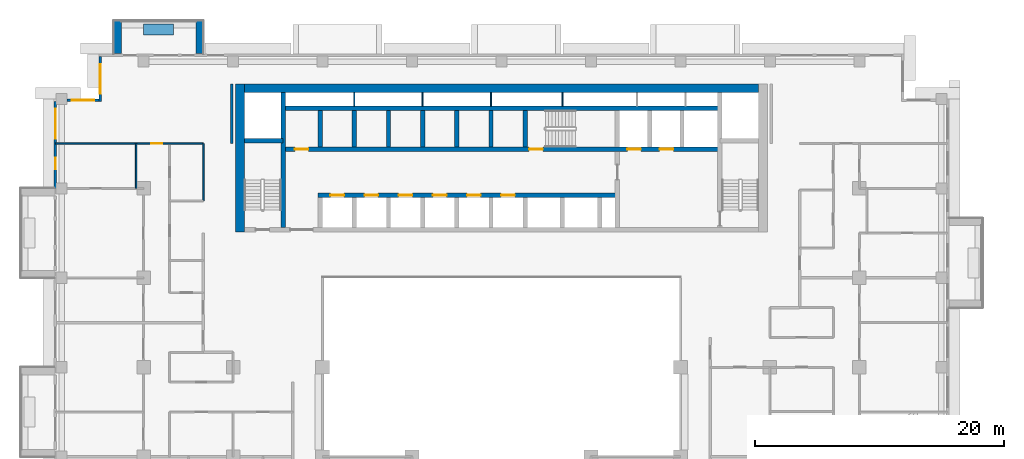
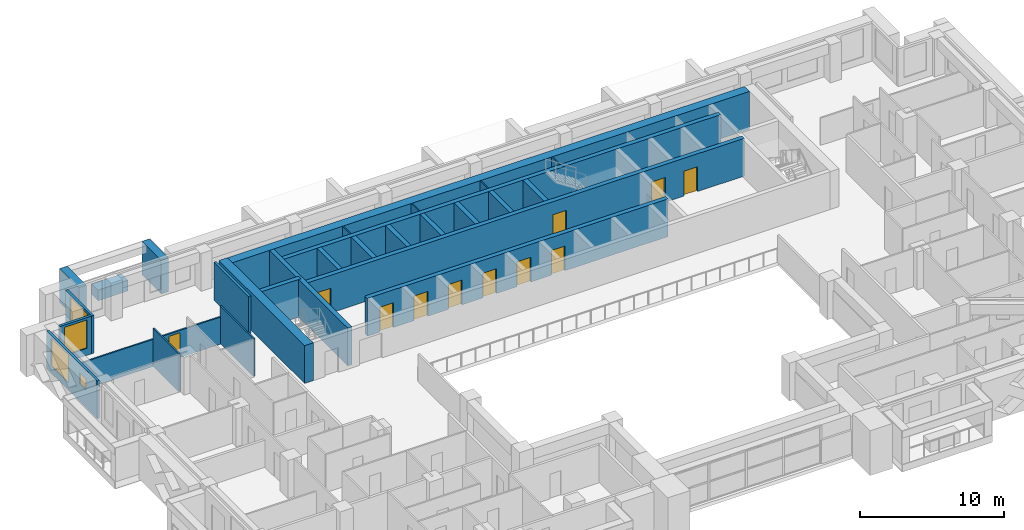
# One storey, part 10 of 20: 28 walls, 11 doors, 4 windows, 15 openings.
"""IFC4 building model written with IfcOpenShell, lengths in metres."""

from ifc_helpers import new_model, si_unit, direction, frame, frame_2d, origin, place, context, subcontext, project, spatial, rectangle, extrude, material, layer, layer_set, type_object, element, fill, save


model = new_model("IFC4")

# Units and contexts
model_context = context("Model", 3, precision=1e-05, world=origin(), true_north=direction((0.0, 1.0)))
body_context = subcontext(model_context, "Body", "Model", "MODEL_VIEW")
ifc_project = project(units=[si_unit("LENGTHUNIT", "METRE"), si_unit("AREAUNIT", "SQUARE_METRE"), si_unit("VOLUMEUNIT", "CUBIC_METRE"), si_unit("PLANEANGLEUNIT", "RADIAN"), si_unit("MASSUNIT", "GRAM", prefix="KILO")], contexts=[model_context])

# Site, building, storey
site_placement = place(None, origin())
site = spatial("IfcSite", under=ifc_project, at=site_placement, CompositionType="ELEMENT")
building_placement = place(site_placement, origin())
building = spatial("IfcBuilding", under=site, at=building_placement, Name="Saffron Iwan Residences", CompositionType="ELEMENT")
storey_placement = place(building_placement, frame((0.0, 0.0, 130.5)))
storey = spatial("IfcBuildingStorey", under=building, at=storey_placement, Name="L34", CompositionType="ELEMENT", Elevation=130.5)

# Walls
ifc_material_1 = material(Name="Concrete C50/60 white painted", Category="concrete")
ifc_layer_1 = layer(ifc_material_1, 0.60009765625)
ifc_layer_set_1 = layer_set([ifc_layer_1], Name="Concrete C50/60 white painted")
wall_type_1 = type_object("IfcWallType", Name="BALCONY FIN 600", PredefinedType="SOLIDWALL", material=ifc_layer_set_1)
for number, where, z_axis, x_axis, name in (
    (1, (26.10009765625, 80.449951171875, 0.0), (0.0, 0.0, 1.0), (0.0, 1.0, 0.0), "Balcony fin L34 F5-3a"),
    (2, (19.5, 80.449951171875, 0.0), (0.0, 0.0, 1.0), (0.0, 1.0, 0.0), "Balcony fin L34 F5-3b"),
):
    element("IfcWall", number, at=place(storey_placement, frame(where, z_axis=z_axis, x_axis=x_axis)), inside=storey, type_object=wall_type_1, Name=name, PredefinedType="SOLIDWALL", context=body_context, shape_type="SweptSolid", body=[
        extrude(rectangle(XDim=2.650146484375, YDim=0.60009765625, at=frame_2d((1.3251953125, 0.0))), origin(), (0.0, 0.0, 1.0), 2.85009765625),
    ])
ifc_material_2 = material(Name="Concrete C35/45 white painted", Category="concrete")
ifc_layer_2 = layer(ifc_material_2, 0.14990234375)
ifc_layer_set_2 = layer_set([ifc_layer_2], Name="Concrete C35/45 white painted")
wall_type_2 = type_object("IfcWallType", Name="BALCONY PLANTER", PredefinedType="SOLIDWALL", material=ifc_layer_set_2)
wall_1_placement = place(storey_placement, frame((24.0, 82.375, 0.0), z_axis=(0.0, 0.0, 1.0), x_axis=(-1.0, 0.0, 0.0)))
element("IfcWall", 3, at=wall_1_placement, inside=storey, type_object=wall_type_2, Name="PLANTER L34 F5-3", PredefinedType="SOLIDWALL", context=body_context, shape_type="SweptSolid", body=[
    extrude(rectangle(XDim=2.39990234375, YDim=0.89990234375, at=frame_2d((1.199951171875, 0.0))), origin(), (0.0, 0.0, 1.0), 0.89990234375),
])

# Wall, opening, window
ifc_material_3 = material(Name="Concrete C40/50", Category="concrete")
ifc_layer_3 = layer(ifc_material_3, 0.199951171875)
ifc_layer_set_3 = layer_set([ifc_layer_3], Name="Concrete C40/50")
wall_type_3 = type_object("IfcWallType", Name="EXTERNAL WALL 200", PredefinedType="SOLIDWALL", material=ifc_layer_set_3)
wall_2_placement = place(storey_placement, frame((18.10009765625, 80.199951171875, 0.0), z_axis=(0.0, 0.0, 1.0), x_axis=(0.0, -1.0, 0.0)))
wall_2 = element("IfcWall", 4, at=wall_2_placement, inside=storey, type_object=wall_type_3, Name="External wall L34 F6.0", PredefinedType="SOLIDWALL", context=body_context, shape_type="SweptSolid", body=[
    extrude(rectangle(XDim=3.599853515625, YDim=0.199951171875, at=frame_2d((1.7998046875, 0.0))), origin(), (0.0, 0.0, 1.0), 3.199951171875),
])
opening_1_placement = place(wall_2_placement, frame((0.60009765625, 0.0, 0.60009765625)))
opening_1 = element("IfcOpeningElement", 5, at=opening_1_placement, cuts=wall_2, Name="Opening W1", PredefinedType="OPENING", context=body_context, shape_type="SweptSolid", body=[
    extrude(rectangle(XDim=2.39990234375, YDim=2.39990234375, at=frame_2d((1.199951171875, 1.199951171875))), frame((0.0, 0.10986328125, 0.0), z_axis=(0.0, -1.0, 0.0), x_axis=(1.0, 0.0, 0.0)), (0.0, 0.0, 1.0), 0.219970703125),
])
ifc_material_4 = material(Name="Clear glass, laminated double glazed", Category="glass")
window_type_1 = type_object("IfcWindowType", Name="WINDOW 2400 x 2400", PartitioningType="DOUBLE_PANEL_VERTICAL", PredefinedType="WINDOW", material=ifc_material_4)
window_1_placement = place(opening_1_placement, origin())
window_1 = element("IfcWindow", 6, at=window_1_placement, inside=storey, type_object=window_type_1, Name="Window L34 F6.0", OverallHeight=2.39990234375, OverallWidth=2.39990234375, PartitioningType="DOUBLE_PANEL_VERTICAL", PredefinedType="WINDOW", context=body_context, shape_type="SweptSolid", body=[
    extrude(rectangle(XDim=2.39990234375, YDim=2.39990234375, at=frame_2d((1.199951171875, 1.199951171875))), frame((0.0, 0.030029296875, 0.0), z_axis=(0.0, -1.0, 0.0), x_axis=(1.0, 0.0, 0.0)), (0.0, 0.0, 1.0), 0.06005859375),
])
fill(opening_1, window_1)

wall_3_placement = place(storey_placement, frame((18.0, 76.699951171875, 0.0), z_axis=(0.0, 0.0, 1.0), x_axis=(-1.0, 0.0, 0.0)))
wall_3 = element("IfcWall", 7, at=wall_3_placement, inside=storey, type_object=wall_type_3, Name="External wall L34 F7.0", PredefinedType="SOLIDWALL", context=body_context, shape_type="SweptSolid", body=[
    extrude(rectangle(XDim=2.550048828125, YDim=0.199951171875, at=frame_2d((1.27490234375, 0.0))), origin(), (0.0, 0.0, 1.0), 3.199951171875),
])
opening_2_placement = place(wall_3_placement, frame((0.375, 0.0, 0.60009765625)))
opening_2 = element("IfcOpeningElement", 8, at=opening_2_placement, cuts=wall_3, Name="Opening W8", PredefinedType="OPENING", context=body_context, shape_type="SweptSolid", body=[
    extrude(rectangle(XDim=1.800048828125, YDim=2.39990234375, at=frame_2d((0.89990234375, 1.199951171875))), frame((0.0, 0.10986328125, 0.0), z_axis=(0.0, -1.0, 0.0), x_axis=(1.0, 0.0, 0.0)), (0.0, 0.0, 1.0), 0.219970703125),
])
window_type_2 = type_object("IfcWindowType", Name="WINDOW 1800 x 2400", PartitioningType="DOUBLE_PANEL_VERTICAL", PredefinedType="WINDOW", material=ifc_material_4)
window_2_placement = place(opening_2_placement, origin())
window_2 = element("IfcWindow", 9, at=window_2_placement, inside=storey, type_object=window_type_2, Name="Window L34 F7.0", OverallHeight=2.39990234375, OverallWidth=1.800048828125, PartitioningType="DOUBLE_PANEL_VERTICAL", PredefinedType="WINDOW", context=body_context, shape_type="SweptSolid", body=[
    extrude(rectangle(XDim=1.800048828125, YDim=2.39990234375, at=frame_2d((0.89990234375, 1.199951171875))), frame((0.0, 0.030029296875, 0.0), z_axis=(0.0, -1.0, 0.0), x_axis=(1.0, 0.0, 0.0)), (0.0, 0.0, 1.0), 0.06005859375),
])
fill(opening_2, window_2)

# Wall, openings, windows
wall_4_placement = place(storey_placement, frame((14.5, 76.60009765625, 0.0), z_axis=(0.0, 0.0, 1.0), x_axis=(0.0, -1.0, 0.0)))
wall_4 = element("IfcWall", 10, at=wall_4_placement, inside=storey, type_object=wall_type_3, Name="External wall L34 F8.0", PredefinedType="SOLIDWALL", context=body_context, shape_type="SweptSolid", body=[
    extrude(rectangle(XDim=7.0, YDim=0.199951171875, at=frame_2d((3.5, 0.0))), origin(), (0.0, 0.0, 1.0), 3.199951171875),
])
opening_3_placement = place(wall_4_placement, frame((4.550048828125, 0.0, 1.5)))
opening_3 = element("IfcOpeningElement", 11, at=opening_3_placement, cuts=wall_4, Name="Opening W6", PredefinedType="OPENING", context=body_context, shape_type="SweptSolid", body=[
    extrude(rectangle(XDim=0.89990234375, YDim=0.89990234375, at=frame_2d((0.449951171875, 0.449951171875))), frame((0.0, 0.10986328125, 0.0), z_axis=(0.0, -1.0, 0.0), x_axis=(1.0, 0.0, 0.0)), (0.0, 0.0, 1.0), 0.219970703125),
])
opening_4_placement = place(wall_4_placement, frame((0.60009765625, 0.0, 0.60009765625)))
opening_4 = element("IfcOpeningElement", 12, at=opening_4_placement, cuts=wall_4, Name="Opening W1", PredefinedType="OPENING", context=body_context, shape_type="SweptSolid", body=[
    extrude(rectangle(XDim=2.39990234375, YDim=2.39990234375, at=frame_2d((1.199951171875, 1.199951171875))), frame((0.0, 0.10986328125, 0.0), z_axis=(0.0, -1.0, 0.0), x_axis=(1.0, 0.0, 0.0)), (0.0, 0.0, 1.0), 0.219970703125),
])
window_3_placement = place(opening_4_placement, origin())
window_3 = element("IfcWindow", 13, at=window_3_placement, inside=storey, type_object=window_type_1, Name="Window L34 F8.1", OverallHeight=2.39990234375, OverallWidth=2.39990234375, PartitioningType="DOUBLE_PANEL_VERTICAL", PredefinedType="WINDOW", context=body_context, shape_type="SweptSolid", body=[
    extrude(rectangle(XDim=2.39990234375, YDim=2.39990234375, at=frame_2d((1.199951171875, 1.199951171875))), frame((0.0, 0.030029296875, 0.0), z_axis=(0.0, -1.0, 0.0), x_axis=(1.0, 0.0, 0.0)), (0.0, 0.0, 1.0), 0.06005859375),
])
fill(opening_4, window_3)
window_type_3 = type_object("IfcWindowType", Name="WINDOW 900 x 900 BATH", PartitioningType="SINGLE_PANEL", PredefinedType="WINDOW", material=ifc_material_4)
window_4_placement = place(opening_3_placement, origin())
window_4 = element("IfcWindow", 14, at=window_4_placement, inside=storey, type_object=window_type_3, Name="Window L34 F8.0", OverallHeight=0.89990234375, OverallWidth=0.89990234375, PartitioningType="SINGLE_PANEL", PredefinedType="WINDOW", context=body_context, shape_type="SweptSolid", body=[
    extrude(rectangle(XDim=0.89990234375, YDim=0.89990234375, at=frame_2d((0.449951171875, 0.449951171875))), frame((0.0, 0.030029296875, 0.0), z_axis=(0.0, -1.0, 0.0), x_axis=(1.0, 0.0, 0.0)), (0.0, 0.0, 1.0), 0.06005859375),
])
fill(opening_3, window_4)

# Wall, opening, door
ifc_material_5 = material(Name="Gypsum board partition")
ifc_layer_4 = layer(ifc_material_5, 0.1201171875)
ifc_layer_set_4 = layer_set([ifc_layer_4], Name="Gypsum board partition")
wall_type_4 = type_object("IfcWallType", Name="Flat partition 120", PredefinedType="PARTITIONING", material=ifc_layer_set_4)
wall_5_placement = place(storey_placement, frame((14.52490234375, 73.199951171875, 0.0), z_axis=(0.0, 0.0, 1.0), x_axis=(1.0, 0.0, 0.0)))
wall_5 = element("IfcWall", 15, at=wall_5_placement, inside=storey, type_object=wall_type_4, Name="W-L34-PART-h73.2-14.525", PredefinedType="PARTITIONING", context=body_context, shape_type="SweptSolid", body=[
    extrude(rectangle(XDim=11.875, YDim=0.1201171875, at=frame_2d((5.9375, 0.0))), origin(), (0.0, 0.0, 1.0), 2.300048828125),
])
opening_5_placement = place(wall_5_placement, frame((7.675048828125, 0.0, 0.0)))
opening_5 = element("IfcOpeningElement", 16, at=opening_5_placement, cuts=wall_5, Name="Opening FD2", PredefinedType="OPENING", context=body_context, shape_type="SweptSolid", body=[
    extrude(rectangle(XDim=0.89990234375, YDim=2.10009765625, at=frame_2d((0.449951171875, 1.050048828125))), frame((0.0, 0.070068359375, 0.0), z_axis=(0.0, -1.0, 0.0), x_axis=(1.0, 0.0, 0.0)), (0.0, 0.0, 1.0), 0.14013671875),
])
ifc_material_6 = material(Name="Timber door", Category="wood")
door_type_1 = type_object("IfcDoorType", Name="Flat door 900", OperationType="NOTDEFINED", PredefinedType="DOOR", material=ifc_material_6)
door_1_placement = place(opening_5_placement, origin())
door_1 = element("IfcDoor", 17, at=door_1_placement, inside=storey, type_object=door_type_1, Name="Door L34-025", OperationType="SINGLE_SWING_LEFT", OverallHeight=2.10009765625, OverallWidth=0.89990234375, PredefinedType="DOOR", context=body_context, shape_type="SweptSolid", body=[
    extrude(rectangle(XDim=0.89990234375, YDim=2.10009765625, at=frame_2d((0.449951171875, 1.050048828125))), frame((0.0, 0.02490234375, 0.0), z_axis=(0.0, -1.0, 0.0), x_axis=(1.0, 0.0, 0.0)), (0.0, 0.0, 1.0), 0.050048828125),
])
fill(opening_5, door_1)

# Walls
wall_6_placement = place(storey_placement, frame((21.0, 69.60009765625, 0.0), z_axis=(0.0, 0.0, 1.0), x_axis=(0.0, 1.0, 0.0)))
element("IfcWall", 18, at=wall_6_placement, inside=storey, type_object=wall_type_4, Name="W-L34-PART-v21-69.6", PredefinedType="PARTITIONING", context=body_context, shape_type="SweptSolid", body=[
    extrude(rectangle(XDim=3.599853515625, YDim=0.1201171875, at=frame_2d((1.7998046875, 0.0))), origin(), (0.0, 0.0, 1.0), 3.199951171875),
])
wall_7_placement = place(storey_placement, frame((26.39990234375, 68.60009765625, 0.0), z_axis=(0.0, 0.0, 1.0), x_axis=(0.0, 1.0, 0.0)))
element("IfcWall", 19, at=wall_7_placement, inside=storey, type_object=wall_type_4, Name="W-L34-PART-v26.4-68.6", PredefinedType="PARTITIONING", context=body_context, shape_type="SweptSolid", body=[
    extrude(rectangle(XDim=4.599853515625, YDim=0.1201171875, at=frame_2d((2.2998046875, 0.0))), origin(), (0.0, 0.0, 1.0), 3.199951171875),
])
ifc_material_7 = material(Name="Fire-rated gypsum board wall")
ifc_layer_5 = layer(ifc_material_7, 0.199951171875)
ifc_layer_set_5 = layer_set([ifc_layer_5], Name="Fire-rated gypsum board wall")
wall_type_5 = type_object("IfcWallType", Name="Gallery wall 200", PredefinedType="SOLIDWALL", material=ifc_layer_set_5)
wall_8_placement = place(storey_placement, frame((28.699951171875, 73.199951171875, 0.0), z_axis=(0.0, 0.0, 1.0), x_axis=(0.0, 1.0, 0.0)))
element("IfcWall", 20, at=wall_8_placement, inside=storey, type_object=wall_type_5, Name="W-L34-CORR-v28.8-73.2", PredefinedType="SOLIDWALL", context=body_context, shape_type="SweptSolid", body=[
    extrude(rectangle(XDim=4.800048828125, YDim=0.199951171875, at=frame_2d((2.39990234375, 0.0))), origin(), (0.0, 0.0, 1.0), 3.199951171875),
])
ifc_material_8 = material(Name="Fire-rated plasterboard partition")
ifc_layer_6 = layer(ifc_material_8, 0.10009765625)
ifc_layer_set_6 = layer_set([ifc_layer_6], Name="Fire-rated plasterboard partition")
wall_type_6 = type_object("IfcWallType", Name="Riser partition 100", PredefinedType="PARTITIONING", material=ifc_layer_set_6)
for number, where, z_axis, x_axis, name in (
    (21, (38.550048828125, 76.22509765625, 0.0), (0.0, 0.0, 1.0), (0.0, 1.0, 0.0), "Core partition P01"),
    (22, (44.050048828125, 76.22509765625, 0.0), (0.0, 0.0, 1.0), (0.0, 1.0, 0.0), "Core partition P02"),
    (23, (49.550048828125, 76.22509765625, 0.0), (0.0, 0.0, 1.0), (0.0, 1.0, 0.0), "Core partition P03"),
    (24, (55.300048828125, 76.22509765625, 0.0), (0.0, 0.0, 1.0), (0.0, 1.0, 0.0), "Core partition P04"),
):
    element("IfcWall", number, at=place(storey_placement, frame(where, z_axis=z_axis, x_axis=x_axis)), inside=storey, type_object=wall_type_6, Name=name, PredefinedType="PARTITIONING", context=body_context, shape_type="SweptSolid", body=[
        extrude(rectangle(XDim=1.074951171875, YDim=0.10009765625, at=frame_2d((0.53759765625, 0.0))), origin(), (0.0, 0.0, 1.0), 3.199951171875),
    ])

# Wall, openings, doors
ifc_material_9 = material(Name="Concrete C50/60", Category="concrete")
ifc_layer_7 = layer(ifc_material_9, 0.35009765625)
ifc_layer_set_7 = layer_set([ifc_layer_7], Name="Concrete C50/60")
wall_type_7 = type_object("IfcWallType", Name="WALL CORE 350 C50/60 3200 HIGH", PredefinedType="SHEAR", material=ifc_layer_set_7)
wall_9_placement = place(storey_placement, frame((35.625, 69.050048828125, 0.0), z_axis=(0.0, 0.0, 1.0), x_axis=(1.0, 0.0, 0.0)))
wall_9 = element("IfcWall", 25, at=wall_9_placement, inside=storey, type_object=wall_type_7, Name="Core wall", PredefinedType="SHEAR", context=body_context, shape_type="SweptSolid", body=[
    extrude(rectangle(XDim=24.10009765625, YDim=0.35009765625, at=frame_2d((12.050048828125, 0.0))), origin(), (0.0, 0.0, 1.0), 3.199951171875),
])
opening_6_placement = place(wall_9_placement, frame((1.0, 0.0, 0.0)))
opening_6 = element("IfcOpeningElement", 26, at=opening_6_placement, cuts=wall_9, Name="Opening LD", PredefinedType="OPENING", context=body_context, shape_type="SweptSolid", body=[
    extrude(rectangle(XDim=1.10009765625, YDim=2.10009765625, at=frame_2d((0.550048828125, 1.050048828125))), frame((0.0, 0.18505859375, 0.0), z_axis=(0.0, -1.0, 0.0), x_axis=(1.0, 0.0, 0.0)), (0.0, 0.0, 1.0), 0.3701171875),
])
opening_7_placement = place(wall_9_placement, frame((3.75, 0.0, 0.0)))
opening_7 = element("IfcOpeningElement", 27, at=opening_7_placement, cuts=wall_9, Name="Opening LD", PredefinedType="OPENING", context=body_context, shape_type="SweptSolid", body=[
    extrude(rectangle(XDim=1.10009765625, YDim=2.10009765625, at=frame_2d((0.550048828125, 1.050048828125))), frame((0.0, 0.18505859375, 0.0), z_axis=(0.0, -1.0, 0.0), x_axis=(1.0, 0.0, 0.0)), (0.0, 0.0, 1.0), 0.3701171875),
])
opening_8_placement = place(wall_9_placement, frame((6.5, 0.0, 0.0)))
opening_8 = element("IfcOpeningElement", 28, at=opening_8_placement, cuts=wall_9, Name="Opening LD", PredefinedType="OPENING", context=body_context, shape_type="SweptSolid", body=[
    extrude(rectangle(XDim=1.10009765625, YDim=2.10009765625, at=frame_2d((0.550048828125, 1.050048828125))), frame((0.0, 0.18505859375, 0.0), z_axis=(0.0, -1.0, 0.0), x_axis=(1.0, 0.0, 0.0)), (0.0, 0.0, 1.0), 0.3701171875),
])
opening_9_placement = place(wall_9_placement, frame((9.25, 0.0, 0.0)))
opening_9 = element("IfcOpeningElement", 29, at=opening_9_placement, cuts=wall_9, Name="Opening LD", PredefinedType="OPENING", context=body_context, shape_type="SweptSolid", body=[
    extrude(rectangle(XDim=1.10009765625, YDim=2.10009765625, at=frame_2d((0.550048828125, 1.050048828125))), frame((0.0, 0.18505859375, 0.0), z_axis=(0.0, -1.0, 0.0), x_axis=(1.0, 0.0, 0.0)), (0.0, 0.0, 1.0), 0.3701171875),
])
opening_10_placement = place(wall_9_placement, frame((12.0, 0.0, 0.0)))
opening_10 = element("IfcOpeningElement", 30, at=opening_10_placement, cuts=wall_9, Name="Opening LD", PredefinedType="OPENING", context=body_context, shape_type="SweptSolid", body=[
    extrude(rectangle(XDim=1.10009765625, YDim=2.10009765625, at=frame_2d((0.550048828125, 1.050048828125))), frame((0.0, 0.18505859375, 0.0), z_axis=(0.0, -1.0, 0.0), x_axis=(1.0, 0.0, 0.0)), (0.0, 0.0, 1.0), 0.3701171875),
])
opening_11_placement = place(wall_9_placement, frame((14.75, 0.0, 0.0)))
opening_11 = element("IfcOpeningElement", 31, at=opening_11_placement, cuts=wall_9, Name="Opening LD", PredefinedType="OPENING", context=body_context, shape_type="SweptSolid", body=[
    extrude(rectangle(XDim=1.10009765625, YDim=2.10009765625, at=frame_2d((0.550048828125, 1.050048828125))), frame((0.0, 0.18505859375, 0.0), z_axis=(0.0, -1.0, 0.0), x_axis=(1.0, 0.0, 0.0)), (0.0, 0.0, 1.0), 0.3701171875),
])
ifc_material_10 = material(Name="Steel fire door", Category="steel")
door_type_2 = type_object("IfcDoorType", Name="Lift landing door 1100", OperationType="SLIDING_TO_LEFT", PredefinedType="DOOR", material=ifc_material_10)
door_2_placement = place(opening_6_placement, origin())
door_2 = element("IfcDoor", 32, at=door_2_placement, inside=storey, type_object=door_type_2, Name="Landing doors LR1", OperationType="SLIDING_TO_LEFT", OverallHeight=2.10009765625, OverallWidth=1.10009765625, PredefinedType="DOOR", context=body_context, shape_type="SweptSolid", body=[
    extrude(rectangle(XDim=1.10009765625, YDim=2.10009765625, at=frame_2d((0.550048828125, 1.050048828125))), frame((0.0, 0.02490234375, 0.0), z_axis=(0.0, -1.0, 0.0), x_axis=(1.0, 0.0, 0.0)), (0.0, 0.0, 1.0), 0.050048828125),
])
fill(opening_6, door_2)
door_3_placement = place(opening_7_placement, origin())
door_3 = element("IfcDoor", 33, at=door_3_placement, inside=storey, type_object=door_type_2, Name="Landing doors LR2", OperationType="SLIDING_TO_LEFT", OverallHeight=2.10009765625, OverallWidth=1.10009765625, PredefinedType="DOOR", context=body_context, shape_type="SweptSolid", body=[
    extrude(rectangle(XDim=1.10009765625, YDim=2.10009765625, at=frame_2d((0.550048828125, 1.050048828125))), frame((0.0, 0.02490234375, 0.0), z_axis=(0.0, -1.0, 0.0), x_axis=(1.0, 0.0, 0.0)), (0.0, 0.0, 1.0), 0.050048828125),
])
fill(opening_7, door_3)
door_4_placement = place(opening_8_placement, origin())
door_4 = element("IfcDoor", 34, at=door_4_placement, inside=storey, type_object=door_type_2, Name="Landing doors LR3", OperationType="SLIDING_TO_LEFT", OverallHeight=2.10009765625, OverallWidth=1.10009765625, PredefinedType="DOOR", context=body_context, shape_type="SweptSolid", body=[
    extrude(rectangle(XDim=1.10009765625, YDim=2.10009765625, at=frame_2d((0.550048828125, 1.050048828125))), frame((0.0, 0.02490234375, 0.0), z_axis=(0.0, -1.0, 0.0), x_axis=(1.0, 0.0, 0.0)), (0.0, 0.0, 1.0), 0.050048828125),
])
fill(opening_8, door_4)
door_5_placement = place(opening_9_placement, origin())
door_5 = element("IfcDoor", 35, at=door_5_placement, inside=storey, type_object=door_type_2, Name="Landing doors LR4", OperationType="SLIDING_TO_LEFT", OverallHeight=2.10009765625, OverallWidth=1.10009765625, PredefinedType="DOOR", context=body_context, shape_type="SweptSolid", body=[
    extrude(rectangle(XDim=1.10009765625, YDim=2.10009765625, at=frame_2d((0.550048828125, 1.050048828125))), frame((0.0, 0.02490234375, 0.0), z_axis=(0.0, -1.0, 0.0), x_axis=(1.0, 0.0, 0.0)), (0.0, 0.0, 1.0), 0.050048828125),
])
fill(opening_9, door_5)
door_6_placement = place(opening_10_placement, origin())
door_6 = element("IfcDoor", 36, at=door_6_placement, inside=storey, type_object=door_type_2, Name="Landing doors LR5", OperationType="SLIDING_TO_LEFT", OverallHeight=2.10009765625, OverallWidth=1.10009765625, PredefinedType="DOOR", context=body_context, shape_type="SweptSolid", body=[
    extrude(rectangle(XDim=1.10009765625, YDim=2.10009765625, at=frame_2d((0.550048828125, 1.050048828125))), frame((0.0, 0.02490234375, 0.0), z_axis=(0.0, -1.0, 0.0), x_axis=(1.0, 0.0, 0.0)), (0.0, 0.0, 1.0), 0.050048828125),
])
fill(opening_10, door_6)
door_7_placement = place(opening_11_placement, origin())
door_7 = element("IfcDoor", 37, at=door_7_placement, inside=storey, type_object=door_type_2, Name="Landing doors LR6", OperationType="SLIDING_TO_LEFT", OverallHeight=2.10009765625, OverallWidth=1.10009765625, PredefinedType="DOOR", context=body_context, shape_type="SweptSolid", body=[
    extrude(rectangle(XDim=1.10009765625, YDim=2.10009765625, at=frame_2d((0.550048828125, 1.050048828125))), frame((0.0, 0.02490234375, 0.0), z_axis=(0.0, -1.0, 0.0), x_axis=(1.0, 0.0, 0.0)), (0.0, 0.0, 1.0), 0.050048828125),
])
fill(opening_11, door_7)

wall_10_placement = place(storey_placement, frame((32.824951171875, 72.75, 0.0), z_axis=(0.0, 0.0, 1.0), x_axis=(1.0, 0.0, 0.0)))
wall_10 = element("IfcWall", 38, at=wall_10_placement, inside=storey, type_object=wall_type_7, Name="Core wall", PredefinedType="SHEAR", context=body_context, shape_type="SweptSolid", body=[
    extrude(rectangle(XDim=35.150146484375, YDim=0.35009765625, at=frame_2d((17.5751953125, 0.0))), origin(), (0.0, 0.0, 1.0), 3.199951171875),
])
opening_12_placement = place(wall_10_placement, frame((19.800048828125, 0.0, 0.0)))
opening_12 = element("IfcOpeningElement", 39, at=opening_12_placement, cuts=wall_10, Name="Opening SD", PredefinedType="OPENING", context=body_context, shape_type="SweptSolid", body=[
    extrude(rectangle(XDim=1.10009765625, YDim=2.10009765625, at=frame_2d((0.550048828125, 1.050048828125))), frame((0.0, 0.18505859375, 0.0), z_axis=(0.0, -1.0, 0.0), x_axis=(1.0, 0.0, 0.0)), (0.0, 0.0, 1.0), 0.3701171875),
])
opening_13_placement = place(wall_10_placement, frame((27.699951171875, 0.0, 0.0)))
opening_13 = element("IfcOpeningElement", 40, at=opening_13_placement, cuts=wall_10, Name="Opening LD", PredefinedType="OPENING", context=body_context, shape_type="SweptSolid", body=[
    extrude(rectangle(XDim=1.10009765625, YDim=2.10009765625, at=frame_2d((0.550048828125, 1.050048828125))), frame((0.0, 0.18505859375, 0.0), z_axis=(0.0, -1.0, 0.0), x_axis=(1.0, 0.0, 0.0)), (0.0, 0.0, 1.0), 0.3701171875),
])
opening_14_placement = place(wall_10_placement, frame((30.300048828125, 0.0, 0.0)))
opening_14 = element("IfcOpeningElement", 41, at=opening_14_placement, cuts=wall_10, Name="Opening LD", PredefinedType="OPENING", context=body_context, shape_type="SweptSolid", body=[
    extrude(rectangle(XDim=1.10009765625, YDim=2.10009765625, at=frame_2d((0.550048828125, 1.050048828125))), frame((0.0, 0.18505859375, 0.0), z_axis=(0.0, -1.0, 0.0), x_axis=(1.0, 0.0, 0.0)), (0.0, 0.0, 1.0), 0.3701171875),
])
opening_15_placement = place(wall_10_placement, frame((0.9375, 0.0, 0.0)))
opening_15 = element("IfcOpeningElement", 42, at=opening_15_placement, cuts=wall_10, Name="Opening SR", PredefinedType="OPENING", context=body_context, shape_type="SweptSolid", body=[
    extrude(rectangle(XDim=1.10009765625, YDim=2.10009765625, at=frame_2d((0.550048828125, 1.050048828125))), frame((0.0, 0.18505859375, 0.0), z_axis=(0.0, -1.0, 0.0), x_axis=(1.0, 0.0, 0.0)), (0.0, 0.0, 1.0), 0.3701171875),
])
door_8_placement = place(opening_13_placement, origin())
door_8 = element("IfcDoor", 43, at=door_8_placement, inside=storey, type_object=door_type_2, Name="Landing doors FF1", OperationType="SLIDING_TO_LEFT", OverallHeight=2.10009765625, OverallWidth=1.10009765625, PredefinedType="DOOR", context=body_context, shape_type="SweptSolid", body=[
    extrude(rectangle(XDim=1.10009765625, YDim=2.10009765625, at=frame_2d((0.550048828125, 1.050048828125))), frame((0.0, 0.02490234375, 0.0), z_axis=(0.0, -1.0, 0.0), x_axis=(1.0, 0.0, 0.0)), (0.0, 0.0, 1.0), 0.050048828125),
])
fill(opening_13, door_8)
door_9_placement = place(opening_14_placement, origin())
door_9 = element("IfcDoor", 44, at=door_9_placement, inside=storey, type_object=door_type_2, Name="Landing doors FF2", OperationType="SLIDING_TO_LEFT", OverallHeight=2.10009765625, OverallWidth=1.10009765625, PredefinedType="DOOR", context=body_context, shape_type="SweptSolid", body=[
    extrude(rectangle(XDim=1.10009765625, YDim=2.10009765625, at=frame_2d((0.550048828125, 1.050048828125))), frame((0.0, 0.02490234375, 0.0), z_axis=(0.0, -1.0, 0.0), x_axis=(1.0, 0.0, 0.0)), (0.0, 0.0, 1.0), 0.050048828125),
])
fill(opening_14, door_9)
door_type_3 = type_object("IfcDoorType", Name="Service door 1100", OperationType="NOTDEFINED", PredefinedType="DOOR", material=ifc_material_10)
door_10_placement = place(opening_15_placement, origin())
door_10 = element("IfcDoor", 45, at=door_10_placement, inside=storey, type_object=door_type_3, Name="Door Caretaker's room", OperationType="SINGLE_SWING_LEFT", OverallHeight=2.10009765625, OverallWidth=1.10009765625, PredefinedType="DOOR", context=body_context, shape_type="SweptSolid", body=[
    extrude(rectangle(XDim=1.10009765625, YDim=2.10009765625, at=frame_2d((0.550048828125, 1.050048828125))), frame((0.0, 0.02490234375, 0.0), z_axis=(0.0, -1.0, 0.0), x_axis=(1.0, 0.0, 0.0)), (0.0, 0.0, 1.0), 0.050048828125),
])
fill(opening_15, door_10)
door_type_4 = type_object("IfcDoorType", Name="Stair door 1100", OperationType="NOTDEFINED", PredefinedType="DOOR", material=ifc_material_10)
door_11_placement = place(opening_12_placement, origin())
door_11 = element("IfcDoor", 46, at=door_11_placement, inside=storey, type_object=door_type_4, Name="Stair door ST-C", OperationType="SINGLE_SWING_LEFT", OverallHeight=2.10009765625, OverallWidth=1.10009765625, PredefinedType="DOOR", context=body_context, shape_type="SweptSolid", body=[
    extrude(rectangle(XDim=1.10009765625, YDim=2.10009765625, at=frame_2d((0.550048828125, 1.050048828125))), frame((0.0, 0.02490234375, 0.0), z_axis=(0.0, -1.0, 0.0), x_axis=(1.0, 0.0, 0.0)), (0.0, 0.0, 1.0), 0.050048828125),
])
fill(opening_12, door_11)

# Walls
wall_11_placement = place(storey_placement, frame((32.824951171875, 76.050048828125, 0.0), z_axis=(0.0, 0.0, 1.0), x_axis=(1.0, 0.0, 0.0)))
element("IfcWall", 47, at=wall_11_placement, inside=storey, type_object=wall_type_7, Name="Core wall", PredefinedType="SHEAR", context=body_context, shape_type="SweptSolid", body=[
    extrude(rectangle(XDim=35.150146484375, YDim=0.35009765625, at=frame_2d((17.5751953125, 0.0))), origin(), (0.0, 0.0, 1.0), 3.199951171875),
])
wall_12_placement = place(storey_placement, frame((29.699951171875, 73.425048828125, 0.0), z_axis=(0.0, 0.0, 1.0), x_axis=(1.0, 0.0, 0.0)))
element("IfcWall", 48, at=wall_12_placement, inside=storey, type_object=wall_type_7, Name="Core wall", PredefinedType="SHEAR", context=body_context, shape_type="SweptSolid", body=[
    extrude(rectangle(XDim=3.125, YDim=0.35009765625, at=frame_2d((1.5625, 0.0))), origin(), (0.0, 0.0, 1.0), 3.199951171875),
])
wall_13_placement = place(storey_placement, frame((32.824951171875, 66.449951171875, 0.0), z_axis=(0.0, 0.0, 1.0), x_axis=(0.0, 1.0, 0.0)))
element("IfcWall", 49, at=wall_13_placement, inside=storey, type_object=wall_type_7, Name="Core wall", PredefinedType="SHEAR", context=body_context, shape_type="SweptSolid", body=[
    extrude(rectangle(XDim=10.85009765625, YDim=0.35009765625, at=frame_2d((5.425048828125, 0.0))), origin(), (0.0, 0.0, 1.0), 3.199951171875),
])
for number, where, z_axis, x_axis, name in (
    (50, (35.800048828125, 72.925048828125, 0.0), (0.0, 0.0, 1.0), (0.0, 1.0, 0.0), "Core wall"),
    (51, (38.550048828125, 72.925048828125, 0.0), (0.0, 0.0, 1.0), (0.0, 1.0, 0.0), "Core wall"),
    (52, (41.300048828125, 72.925048828125, 0.0), (0.0, 0.0, 1.0), (0.0, 1.0, 0.0), "Core wall"),
    (53, (44.050048828125, 72.925048828125, 0.0), (0.0, 0.0, 1.0), (0.0, 1.0, 0.0), "Core wall"),
    (54, (46.800048828125, 72.925048828125, 0.0), (0.0, 0.0, 1.0), (0.0, 1.0, 0.0), "Core wall"),
    (55, (49.550048828125, 72.925048828125, 0.0), (0.0, 0.0, 1.0), (0.0, 1.0, 0.0), "Core wall"),
    (56, (52.300048828125, 72.925048828125, 0.0), (0.0, 0.0, 1.0), (0.0, 1.0, 0.0), "Core wall"),
):
    element("IfcWall", number, at=place(storey_placement, frame(where, z_axis=z_axis, x_axis=x_axis)), inside=storey, type_object=wall_type_7, Name=name, PredefinedType="SHEAR", context=body_context, shape_type="SweptSolid", body=[
        extrude(rectangle(XDim=2.949951171875, YDim=0.35009765625, at=frame_2d((1.47509765625, 0.0))), origin(), (0.0, 0.0, 1.0), 3.199951171875),
    ])
ifc_layer_8 = layer(ifc_material_9, 0.699951171875)
ifc_layer_set_8 = layer_set([ifc_layer_8], Name="Concrete C50/60")
wall_type_8 = type_object("IfcWallType", Name="WALL CORE 700 C50/60 3200 HIGH", PredefinedType="SHEAR", material=ifc_layer_set_8)
wall_14_placement = place(storey_placement, frame((29.35009765625, 66.10009765625, 0.0), z_axis=(0.0, 0.0, 1.0), x_axis=(0.0, 1.0, 0.0)))
element("IfcWall", 57, at=wall_14_placement, inside=storey, type_object=wall_type_8, Name="Core wall", PredefinedType="SHEAR", context=body_context, shape_type="SweptSolid", body=[
    extrude(rectangle(XDim=11.89990234375, YDim=0.699951171875, at=frame_2d((5.949951171875, 0.0))), origin(), (0.0, 0.0, 1.0), 3.199951171875),
])
wall_15_placement = place(storey_placement, frame((29.699951171875, 77.64990234375, 0.0), z_axis=(0.0, 0.0, 1.0), x_axis=(1.0, 0.0, 0.0)))
element("IfcWall", 58, at=wall_15_placement, inside=storey, type_object=wall_type_8, Name="Core wall", PredefinedType="SHEAR", context=body_context, shape_type="SweptSolid", body=[
    extrude(rectangle(XDim=41.400146484375, YDim=0.699951171875, at=frame_2d((20.7001953125, 0.0))), origin(), (0.0, 0.0, 1.0), 3.199951171875),
])

save(model, "model.ifc")
